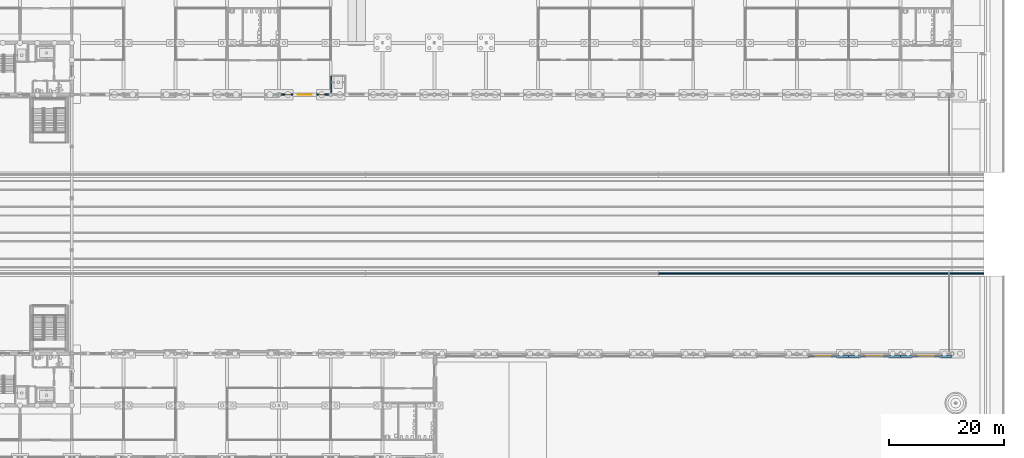
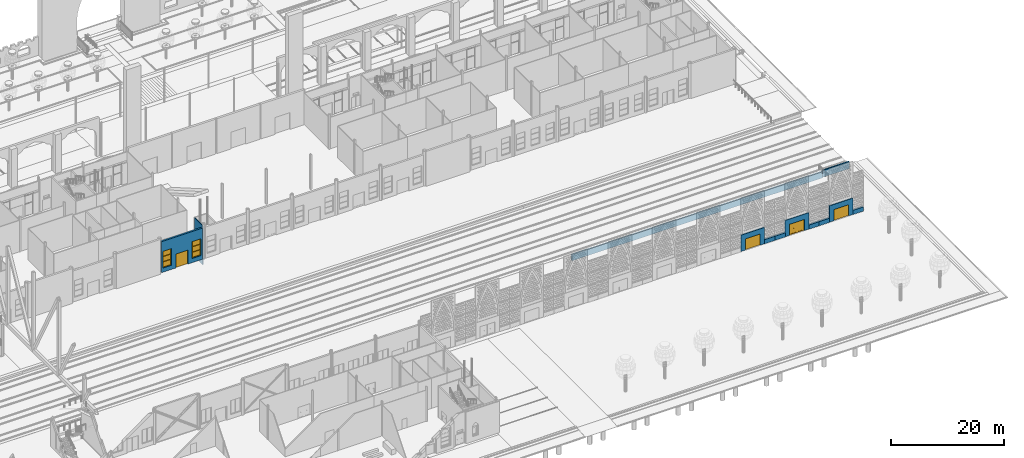
# One storey, part 122 of 250: 12 walls, 4 doors, 2 windows, 6 openings.
"""IFC4 building model written with IfcOpenShell, lengths in metres."""

from ifc_helpers import new_model, si_unit, direction, frame, frame_2d, origin, place, context, subcontext, project, spatial, polyline, rectangle, outline, extrude, material, layer, layer_set, type_object, element, fill, save


model = new_model("IFC4")

# Units and contexts
model_context = context("Model", 3, precision=1e-05, world=origin(), true_north=direction((0.0, 1.0)))
body_context = subcontext(model_context, "Body", "Model", "MODEL_VIEW")
ifc_project = project(units=[si_unit("LENGTHUNIT", "METRE"), si_unit("AREAUNIT", "SQUARE_METRE"), si_unit("VOLUMEUNIT", "CUBIC_METRE"), si_unit("PLANEANGLEUNIT", "RADIAN"), si_unit("MASSUNIT", "GRAM", prefix="KILO")], contexts=[model_context])

# Site, building, storey
site_placement = place(None, origin())
site = spatial("IfcSite", under=ifc_project, at=site_placement, CompositionType="ELEMENT")
building_placement = place(site_placement, origin())
building = spatial("IfcBuilding", under=site, at=building_placement, Name="Baradari Gate Terminus", CompositionType="ELEMENT")
storey_placement = place(building_placement, origin())
storey = spatial("IfcBuildingStorey", under=building, at=storey_placement, Name="L00", CompositionType="ELEMENT", Elevation=0.0)

# Wall, opening, door
ifc_material_1 = material(Name="Steel S355", Category="steel")
ifc_layer_1 = layer(ifc_material_1, 0.25)
ifc_layer_set_1 = layer_set([ifc_layer_1], Name="Steel S355")
wall_type_1 = type_object("IfcWallType", Name="Gate frame wall WG-2 250", PredefinedType="SOLIDWALL", material=ifc_layer_set_1)
wall_1_placement = place(storey_placement, frame((218.10009765625, 35.52001953125, 0.0), z_axis=(0.0, 0.0, 1.0), x_axis=(1.0, 0.0, 0.0)))
wall_1 = element("IfcWall", 1, at=wall_1_placement, inside=storey, type_object=wall_type_1, Name="Gate frame wall SC bay 8", PredefinedType="SOLIDWALL", context=body_context, shape_type="SweptSolid", body=[
    extrude(rectangle(XDim=4.7998046875, YDim=0.25, at=frame_2d((2.39990234375, 0.0))), origin(), (0.0, 0.0, 1.0), 3.52490234375),
])
opening_1_placement = place(wall_1_placement, frame((0.89990234375, 0.0, 0.0)))
opening_1 = element("IfcOpeningElement", 2, at=opening_1_placement, cuts=wall_1, Name="Opening D00-065", PredefinedType="OPENING", context=body_context, shape_type="SweptSolid", body=[
    extrude(rectangle(XDim=3.0, YDim=2.39990234375, at=frame_2d((1.5, 1.199951171875))), frame((0.0, 0.135009765625, 0.0), z_axis=(0.0, -1.0, 0.0), x_axis=(1.0, 0.0, 0.0)), (0.0, 0.0, 1.0), 0.27001953125),
])
ifc_material_2 = material(Name="Steel S235", Category="steel")
door_type_1 = type_object("IfcDoorType", Name="Platform exit door pair, steel DT-8 3000x2400", OperationType="DOUBLE_DOOR_DOUBLE_SWING", PredefinedType="DOOR", material=ifc_material_2)
door_1_placement = place(opening_1_placement, origin())
door_1 = element("IfcDoor", 3, at=door_1_placement, inside=storey, type_object=door_type_1, Name="Platform exit door pair, steel SC/07g", OperationType="DOUBLE_DOOR_DOUBLE_SWING", OverallHeight=2.4, OverallWidth=3.0, PredefinedType="DOOR", context=body_context, shape_type="SweptSolid", body=[
    extrude(outline(polyline([(0.0, 0.0), (0.070068359375, 0.0), (0.070068359375, 2.329833984375), (2.929931640625, 2.329833984375), (2.929931640625, 0.0), (3.0, 0.0), (3.0, 2.39990234375), (0.0, 2.39990234375), (0.0, 0.0)])), frame((0.0, 0.02490234375, 0.0), z_axis=(0.0, -1.0, 0.0), x_axis=(1.0, 0.0, 0.0)), (0.0, 0.0, 1.0), 0.050048828125),
    extrude(outline(polyline([(0.073974609375, 0.010009765625), (1.4970703125, 0.010009765625), (1.4970703125, 2.325927734375), (0.073974609375, 2.325927734375), (0.073974609375, 0.010009765625)]), holes=[polyline([(0.194091796875, 0.159912109375), (1.376953125, 0.159912109375), (1.376953125, 1.010009765625), (0.194091796875, 1.010009765625), (0.194091796875, 0.159912109375)]), polyline([(0.635498046875, 1.159912109375), (0.935546875, 1.159912109375), (0.935546875, 1.760009765625), (0.635498046875, 1.760009765625), (0.635498046875, 1.159912109375)])]), frame((0.0, 0.017333984375, 0.0), z_axis=(0.0, -1.0, 0.0), x_axis=(1.0, 0.0, 0.0)), (0.0, 0.0, 1.0), 0.034912109375),
    extrude(rectangle(XDim=1.182861328125, YDim=0.85009765625, at=frame_2d((0.78564453125, 0.5849609375))), frame((0.0, 0.008544921875, 0.0), z_axis=(0.0, -1.0, 0.0), x_axis=(1.0, 0.0, 0.0)), (0.0, 0.0, 1.0), 0.017333984375),
    extrude(rectangle(XDim=0.300048828125, YDim=0.60009765625, at=frame_2d((0.78564453125, 1.4599609375))), frame((0.0, 0.005859375, 0.0), z_axis=(0.0, -1.0, 0.0), x_axis=(1.0, 0.0, 0.0)), (0.0, 0.0, 1.0), 0.011962890625),
    extrude(outline(polyline([(1.5029296875, 0.010009765625), (2.926025390625, 0.010009765625), (2.926025390625, 2.325927734375), (1.5029296875, 2.325927734375), (1.5029296875, 0.010009765625)]), holes=[polyline([(1.623046875, 0.159912109375), (2.805908203125, 0.159912109375), (2.805908203125, 1.010009765625), (1.623046875, 1.010009765625), (1.623046875, 0.159912109375)]), polyline([(2.064453125, 1.159912109375), (2.364501953125, 1.159912109375), (2.364501953125, 1.760009765625), (2.064453125, 1.760009765625), (2.064453125, 1.159912109375)])]), frame((0.0, 0.017333984375, 0.0), z_axis=(0.0, -1.0, 0.0), x_axis=(1.0, 0.0, 0.0)), (0.0, 0.0, 1.0), 0.034912109375),
    extrude(rectangle(XDim=1.182861328125, YDim=0.85009765625, at=frame_2d((2.21435546875, 0.5849609375))), frame((0.0, 0.008544921875, 0.0), z_axis=(0.0, -1.0, 0.0), x_axis=(1.0, 0.0, 0.0)), (0.0, 0.0, 1.0), 0.017333984375),
    extrude(rectangle(XDim=0.300048828125, YDim=0.60009765625, at=frame_2d((2.21435546875, 1.4599609375))), frame((0.0, 0.005859375, 0.0), z_axis=(0.0, -1.0, 0.0), x_axis=(1.0, 0.0, 0.0)), (0.0, 0.0, 1.0), 0.011962890625),
])
fill(opening_1, door_1)

wall_2_placement = place(storey_placement, frame((227.10009765625, 35.52001953125, 0.0), z_axis=(0.0, 0.0, 1.0), x_axis=(1.0, 0.0, 0.0)))
wall_2 = element("IfcWall", 4, at=wall_2_placement, inside=storey, type_object=wall_type_1, Name="Gate frame wall SC bay 9", PredefinedType="SOLIDWALL", context=body_context, shape_type="SweptSolid", body=[
    extrude(rectangle(XDim=4.7998046875, YDim=0.25, at=frame_2d((2.39990234375, 0.0))), origin(), (0.0, 0.0, 1.0), 3.52490234375),
])
opening_2_placement = place(wall_2_placement, frame((0.89990234375, 0.0, 0.0)))
opening_2 = element("IfcOpeningElement", 5, at=opening_2_placement, cuts=wall_2, Name="Opening D00-066", PredefinedType="OPENING", context=body_context, shape_type="SweptSolid", body=[
    extrude(rectangle(XDim=3.0, YDim=2.39990234375, at=frame_2d((1.5, 1.199951171875))), frame((0.0, 0.135009765625, 0.0), z_axis=(0.0, -1.0, 0.0), x_axis=(1.0, 0.0, 0.0)), (0.0, 0.0, 1.0), 0.27001953125),
])
door_2_placement = place(opening_2_placement, origin())
door_2 = element("IfcDoor", 6, at=door_2_placement, inside=storey, type_object=door_type_1, Name="Platform exit door pair, steel SC/08g", OperationType="DOUBLE_DOOR_DOUBLE_SWING", OverallHeight=2.4, OverallWidth=3.0, PredefinedType="DOOR", context=body_context, shape_type="SweptSolid", body=[
    extrude(outline(polyline([(0.0, 0.0), (0.070068359375, 0.0), (0.070068359375, 2.329833984375), (2.929931640625, 2.329833984375), (2.929931640625, 0.0), (3.0, 0.0), (3.0, 2.39990234375), (0.0, 2.39990234375), (0.0, 0.0)])), frame((0.0, 0.02490234375, 0.0), z_axis=(0.0, -1.0, 0.0), x_axis=(1.0, 0.0, 0.0)), (0.0, 0.0, 1.0), 0.050048828125),
    extrude(outline(polyline([(0.073974609375, 0.010009765625), (1.4970703125, 0.010009765625), (1.4970703125, 2.325927734375), (0.073974609375, 2.325927734375), (0.073974609375, 0.010009765625)]), holes=[polyline([(0.194091796875, 0.159912109375), (1.376953125, 0.159912109375), (1.376953125, 1.010009765625), (0.194091796875, 1.010009765625), (0.194091796875, 0.159912109375)]), polyline([(0.635498046875, 1.159912109375), (0.935546875, 1.159912109375), (0.935546875, 1.760009765625), (0.635498046875, 1.760009765625), (0.635498046875, 1.159912109375)])]), frame((0.0, 0.017333984375, 0.0), z_axis=(0.0, -1.0, 0.0), x_axis=(1.0, 0.0, 0.0)), (0.0, 0.0, 1.0), 0.034912109375),
    extrude(rectangle(XDim=1.182861328125, YDim=0.85009765625, at=frame_2d((0.78564453125, 0.5849609375))), frame((0.0, 0.008544921875, 0.0), z_axis=(0.0, -1.0, 0.0), x_axis=(1.0, 0.0, 0.0)), (0.0, 0.0, 1.0), 0.017333984375),
    extrude(rectangle(XDim=0.300048828125, YDim=0.60009765625, at=frame_2d((0.78564453125, 1.4599609375))), frame((0.0, 0.005859375, 0.0), z_axis=(0.0, -1.0, 0.0), x_axis=(1.0, 0.0, 0.0)), (0.0, 0.0, 1.0), 0.011962890625),
    extrude(outline(polyline([(1.5029296875, 0.010009765625), (2.926025390625, 0.010009765625), (2.926025390625, 2.325927734375), (1.5029296875, 2.325927734375), (1.5029296875, 0.010009765625)]), holes=[polyline([(1.623046875, 0.159912109375), (2.805908203125, 0.159912109375), (2.805908203125, 1.010009765625), (1.623046875, 1.010009765625), (1.623046875, 0.159912109375)]), polyline([(2.064453125, 1.159912109375), (2.364501953125, 1.159912109375), (2.364501953125, 1.760009765625), (2.064453125, 1.760009765625), (2.064453125, 1.159912109375)])]), frame((0.0, 0.017333984375, 0.0), z_axis=(0.0, -1.0, 0.0), x_axis=(1.0, 0.0, 0.0)), (0.0, 0.0, 1.0), 0.034912109375),
    extrude(rectangle(XDim=1.182861328125, YDim=0.85009765625, at=frame_2d((2.21435546875, 0.5849609375))), frame((0.0, 0.008544921875, 0.0), z_axis=(0.0, -1.0, 0.0), x_axis=(1.0, 0.0, 0.0)), (0.0, 0.0, 1.0), 0.017333984375),
    extrude(rectangle(XDim=0.300048828125, YDim=0.60009765625, at=frame_2d((2.21435546875, 1.4599609375))), frame((0.0, 0.005859375, 0.0), z_axis=(0.0, -1.0, 0.0), x_axis=(1.0, 0.0, 0.0)), (0.0, 0.0, 1.0), 0.011962890625),
])
fill(opening_2, door_2)

wall_3_placement = place(storey_placement, frame((236.10009765625, 35.52001953125, 0.0), z_axis=(0.0, 0.0, 1.0), x_axis=(1.0, 0.0, 0.0)))
wall_3 = element("IfcWall", 7, at=wall_3_placement, inside=storey, type_object=wall_type_1, Name="Gate frame wall SC bay 10", PredefinedType="SOLIDWALL", context=body_context, shape_type="SweptSolid", body=[
    extrude(rectangle(XDim=4.7998046875, YDim=0.25, at=frame_2d((2.39990234375, 0.0))), origin(), (0.0, 0.0, 1.0), 3.52490234375),
])
opening_3_placement = place(wall_3_placement, frame((0.89990234375, 0.0, 0.0)))
opening_3 = element("IfcOpeningElement", 8, at=opening_3_placement, cuts=wall_3, Name="Opening D00-067", PredefinedType="OPENING", context=body_context, shape_type="SweptSolid", body=[
    extrude(rectangle(XDim=3.0, YDim=2.39990234375, at=frame_2d((1.5, 1.199951171875))), frame((0.0, 0.135009765625, 0.0), z_axis=(0.0, -1.0, 0.0), x_axis=(1.0, 0.0, 0.0)), (0.0, 0.0, 1.0), 0.27001953125),
])
door_3_placement = place(opening_3_placement, origin())
door_3 = element("IfcDoor", 9, at=door_3_placement, inside=storey, type_object=door_type_1, Name="Platform exit door pair, steel SC/09g", OperationType="DOUBLE_DOOR_DOUBLE_SWING", OverallHeight=2.4, OverallWidth=3.0, PredefinedType="DOOR", context=body_context, shape_type="SweptSolid", body=[
    extrude(outline(polyline([(0.0, 0.0), (0.070068359375, 0.0), (0.070068359375, 2.329833984375), (2.929931640625, 2.329833984375), (2.929931640625, 0.0), (3.0, 0.0), (3.0, 2.39990234375), (0.0, 2.39990234375), (0.0, 0.0)])), frame((0.0, 0.02490234375, 0.0), z_axis=(0.0, -1.0, 0.0), x_axis=(1.0, 0.0, 0.0)), (0.0, 0.0, 1.0), 0.050048828125),
    extrude(outline(polyline([(0.073974609375, 0.010009765625), (1.4970703125, 0.010009765625), (1.4970703125, 2.325927734375), (0.073974609375, 2.325927734375), (0.073974609375, 0.010009765625)]), holes=[polyline([(0.194091796875, 0.159912109375), (1.376953125, 0.159912109375), (1.376953125, 1.010009765625), (0.194091796875, 1.010009765625), (0.194091796875, 0.159912109375)]), polyline([(0.635498046875, 1.159912109375), (0.935546875, 1.159912109375), (0.935546875, 1.760009765625), (0.635498046875, 1.760009765625), (0.635498046875, 1.159912109375)])]), frame((0.0, 0.017333984375, 0.0), z_axis=(0.0, -1.0, 0.0), x_axis=(1.0, 0.0, 0.0)), (0.0, 0.0, 1.0), 0.034912109375),
    extrude(rectangle(XDim=1.182861328125, YDim=0.85009765625, at=frame_2d((0.78564453125, 0.5849609375))), frame((0.0, 0.008544921875, 0.0), z_axis=(0.0, -1.0, 0.0), x_axis=(1.0, 0.0, 0.0)), (0.0, 0.0, 1.0), 0.017333984375),
    extrude(rectangle(XDim=0.300048828125, YDim=0.60009765625, at=frame_2d((0.78564453125, 1.4599609375))), frame((0.0, 0.005859375, 0.0), z_axis=(0.0, -1.0, 0.0), x_axis=(1.0, 0.0, 0.0)), (0.0, 0.0, 1.0), 0.011962890625),
    extrude(outline(polyline([(1.5029296875, 0.010009765625), (2.926025390625, 0.010009765625), (2.926025390625, 2.325927734375), (1.5029296875, 2.325927734375), (1.5029296875, 0.010009765625)]), holes=[polyline([(1.623046875, 0.159912109375), (2.805908203125, 0.159912109375), (2.805908203125, 1.010009765625), (1.623046875, 1.010009765625), (1.623046875, 0.159912109375)]), polyline([(2.064453125, 1.159912109375), (2.364501953125, 1.159912109375), (2.364501953125, 1.760009765625), (2.064453125, 1.760009765625), (2.064453125, 1.159912109375)])]), frame((0.0, 0.017333984375, 0.0), z_axis=(0.0, -1.0, 0.0), x_axis=(1.0, 0.0, 0.0)), (0.0, 0.0, 1.0), 0.034912109375),
    extrude(rectangle(XDim=1.182861328125, YDim=0.85009765625, at=frame_2d((2.21435546875, 0.5849609375))), frame((0.0, 0.008544921875, 0.0), z_axis=(0.0, -1.0, 0.0), x_axis=(1.0, 0.0, 0.0)), (0.0, 0.0, 1.0), 0.017333984375),
    extrude(rectangle(XDim=0.300048828125, YDim=0.60009765625, at=frame_2d((2.21435546875, 1.4599609375))), frame((0.0, 0.005859375, 0.0), z_axis=(0.0, -1.0, 0.0), x_axis=(1.0, 0.0, 0.0)), (0.0, 0.0, 1.0), 0.011962890625),
])
fill(opening_3, door_3)

# Walls
ifc_material_3 = material(Name="Concrete C40/50 precast", Category="concrete")
ifc_layer_2 = layer(ifc_material_3, 0.3)
ifc_material_4 = material(Name="Reconstituted stone", Category="masonry")
ifc_layer_3 = layer(ifc_material_4, 0.05)
ifc_layer_set_2 = layer_set([ifc_layer_2, ifc_layer_3], Name="Concrete C40/50 precast")
wall_type_2 = type_object("IfcWallType", Name="Jali screen base wall WJ-1 350", PredefinedType="SOLIDWALL", material=ifc_layer_set_2)
for number, where, z_axis, x_axis, name in (
    (10, (222.89990234375, 35.52001953125, 0.0), (0.0, 0.0, 1.0), (1.0, 0.0, 0.0), "Jali screen base wall SC bay 8"),
    (11, (225.0, 35.52001953125, 0.0), (0.0, 0.0, 1.0), (1.0, 0.0, 0.0), "Jali screen base wall SC bay 9"),
    (12, (231.89990234375, 35.52001953125, 0.0), (0.0, 0.0, 1.0), (1.0, 0.0, 0.0), "Jali screen base wall SC bay 9"),
    (13, (234.0, 35.52001953125, 0.0), (0.0, 0.0, 1.0), (1.0, 0.0, 0.0), "Jali screen base wall SC bay 10"),
    (14, (240.89990234375, 35.52001953125, 0.0), (0.0, 0.0, 1.0), (1.0, 0.0, 0.0), "Jali screen base wall SC bay 10"),
):
    element("IfcWall", number, at=place(storey_placement, frame(where, z_axis=z_axis, x_axis=x_axis)), inside=storey, type_object=wall_type_2, Name=name, PredefinedType="SOLIDWALL", context=body_context, shape_type="SweptSolid", body=[
        extrude(rectangle(XDim=2.10009765625, YDim=0.35009765625, at=frame_2d((1.050048828125, 0.0))), origin(), (0.0, 0.0, 1.0), 0.89990234375),
    ])
ifc_material_5 = material(Name="Blockwork wall, fire rated", Category="masonry")
ifc_layer_4 = layer(ifc_material_5, 0.199951171875)
ifc_layer_set_3 = layer_set([ifc_layer_4], Name="Blockwork wall, fire rated")
wall_type_3 = type_object("IfcWallType", Name="Lift shaft wall SH-1 200 EI 120", PredefinedType="SOLIDWALL", material=ifc_layer_set_3)
wall_4_placement = place(storey_placement, frame((135.10009765625, 81.300048828125, -1.60009765625), z_axis=(0.0, 0.0, 1.0), x_axis=(0.0, 1.0, 0.0)))
element("IfcWall", 15, at=wall_4_placement, inside=storey, type_object=wall_type_3, Name="Lift shaft wall LHL L00 W", PredefinedType="SOLIDWALL", context=body_context, shape_type="SweptSolid", body=[
    extrude(rectangle(XDim=2.89990234375, YDim=0.199951171875, at=frame_2d((1.449951171875, 0.0))), origin(), (0.0, 0.0, 1.0), 8.357177734375),
])
ifc_material_6 = material(Name="Concrete C40/50", Category="concrete")
ifc_layer_5 = layer(ifc_material_6, 0.300048828125)
ifc_layer_set_4 = layer_set([ifc_layer_5], Name="Concrete C40/50")
wall_type_4 = type_object("IfcWallType", Name="Platform edge wall CWL06 300", PredefinedType="SOLIDWALL", material=ifc_layer_set_4)
wall_5_placement = place(storey_placement, frame((192.0, 49.89990234375, -1.572021484375), z_axis=(0.0, 0.0, 1.0), x_axis=(1.0, 0.0, 0.0)))
element("IfcWall", 16, at=wall_5_placement, inside=storey, type_object=wall_type_4, Name="Platform 1 edge wall 4", PredefinedType="SOLIDWALL", context=body_context, shape_type="SweptSolid", body=[
    extrude(rectangle(XDim=51.0, YDim=0.300048828125, at=frame_2d((25.5, 0.0))), origin(), (0.0, 0.0, 1.0), 1.322021484375),
])

# Wall, openings, door, windows
ifc_material_7 = material(Name="Sandstone masonry", Category="masonry")
ifc_layer_6 = layer(ifc_material_7, 0.35009765625)
ifc_layer_set_5 = layer_set([ifc_layer_6], Name="Sandstone masonry")
wall_type_5 = type_object("IfcWallType", Name="Sandstone masonry wall WS-1 350", PredefinedType="SOLIDWALL", material=ifc_layer_set_5)
wall_6_placement = place(storey_placement, frame((126.35546875, 81.0, 0.0), z_axis=(0.0, 0.0, 1.0), x_axis=(1.0, 0.0, 0.0)))
wall_6 = element("IfcWall", 17, at=wall_6_placement, inside=storey, type_object=wall_type_5, Name="platform side HS bay 15 L00", PredefinedType="SOLIDWALL", context=body_context, shape_type="SweptSolid", body=[
    extrude(rectangle(XDim=8.339599609375, YDim=0.35009765625, at=frame_2d((4.169921875, 0.0))), origin(), (0.0, 0.0, 1.0), 6.692138671875),
])
opening_4_placement = place(wall_6_placement, frame((2.944580078125, 0.0, 0.0)))
opening_4 = element("IfcOpeningElement", 18, at=opening_4_placement, cuts=wall_6, Name="Opening D00-035", PredefinedType="OPENING", context=body_context, shape_type="SweptSolid", body=[
    extrude(rectangle(XDim=2.39990234375, YDim=3.0, at=frame_2d((1.199951171875, 1.5))), frame((0.0, 0.18505859375, 0.0), z_axis=(0.0, -1.0, 0.0), x_axis=(1.0, 0.0, 0.0)), (0.0, 0.0, 1.0), 0.3701171875),
])
opening_5_placement = place(wall_6_placement, frame((0.244384765625, 0.0, 0.89990234375)))
opening_5 = element("IfcOpeningElement", 19, at=opening_5_placement, cuts=wall_6, Name="Opening W3", PredefinedType="OPENING", context=body_context, shape_type="SweptSolid", body=[
    extrude(rectangle(XDim=1.800048828125, YDim=3.60009765625, at=frame_2d((0.89990234375, 1.800048828125))), frame((0.0, 0.18505859375, 0.0), z_axis=(0.0, -1.0, 0.0), x_axis=(1.0, 0.0, 0.0)), (0.0, 0.0, 1.0), 0.3701171875),
])
opening_6_placement = place(wall_6_placement, frame((6.244384765625, 0.0, 0.89990234375)))
opening_6 = element("IfcOpeningElement", 20, at=opening_6_placement, cuts=wall_6, Name="Opening W3", PredefinedType="OPENING", context=body_context, shape_type="SweptSolid", body=[
    extrude(rectangle(XDim=1.800048828125, YDim=3.60009765625, at=frame_2d((0.89990234375, 1.800048828125))), frame((0.0, 0.18505859375, 0.0), z_axis=(0.0, -1.0, 0.0), x_axis=(1.0, 0.0, 0.0)), (0.0, 0.0, 1.0), 0.3701171875),
])
ifc_material_8 = material(Name="Aluminium 6063-T6", Category="aluminium")
door_type_2 = type_object("IfcDoorType", Name="Platform door pair, glazed DT-7 2400x3000", OperationType="DOUBLE_DOOR_SINGLE_SWING", PredefinedType="DOOR", material=ifc_material_8)
door_4_placement = place(opening_4_placement, frame((2.39990234375, 0.0, 0.0), z_axis=(0.0, 0.0, 1.0), x_axis=(-1.0, 0.0, 0.0)))
door_4 = element("IfcDoor", 21, at=door_4_placement, inside=storey, type_object=door_type_2, Name="Exit door Corridor (Platform Passage West)", OperationType="DOUBLE_DOOR_SINGLE_SWING", OverallHeight=3.0, OverallWidth=2.4, PredefinedType="DOOR", context=body_context, shape_type="SweptSolid", body=[
    extrude(outline(polyline([(0.0, 0.0), (0.070068359375, 0.0), (0.070068359375, 2.929931640625), (2.329833984375, 2.929931640625), (2.329833984375, 0.0), (2.39990234375, 0.0), (2.39990234375, 3.0), (0.0, 3.0), (0.0, 0.0)])), frame((0.0, 0.02490234375, 0.0), z_axis=(0.0, -1.0, 0.0), x_axis=(1.0, 0.0, 0.0)), (0.0, 0.0, 1.0), 0.050048828125),
    extrude(outline(polyline([(0.073974609375, 0.010009765625), (1.19677734375, 0.010009765625), (1.19677734375, 2.926025390625), (0.073974609375, 2.926025390625), (0.073974609375, 0.010009765625)]), holes=[polyline([(0.1640625, 0.31005859375), (1.10693359375, 0.31005859375), (1.10693359375, 2.8359375), (0.1640625, 2.8359375), (0.1640625, 0.31005859375)])]), frame((0.0, 0.017333984375, 0.0), z_axis=(0.0, -1.0, 0.0), x_axis=(1.0, 0.0, 0.0)), (0.0, 0.0, 1.0), 0.034912109375),
    extrude(rectangle(XDim=0.94287109375, YDim=2.52587890625, at=frame_2d((0.635498046875, 1.572998046875))), frame((0.0, 0.005859375, 0.0), z_axis=(0.0, -1.0, 0.0), x_axis=(1.0, 0.0, 0.0)), (0.0, 0.0, 1.0), 0.011962890625),
    extrude(outline(polyline([(1.203125, 0.010009765625), (2.325927734375, 0.010009765625), (2.325927734375, 2.926025390625), (1.203125, 2.926025390625), (1.203125, 0.010009765625)]), holes=[polyline([(1.29296875, 0.31005859375), (2.23583984375, 0.31005859375), (2.23583984375, 2.8359375), (1.29296875, 2.8359375), (1.29296875, 0.31005859375)])]), frame((0.0, 0.017333984375, 0.0), z_axis=(0.0, -1.0, 0.0), x_axis=(1.0, 0.0, 0.0)), (0.0, 0.0, 1.0), 0.034912109375),
    extrude(rectangle(XDim=0.94287109375, YDim=2.52587890625, at=frame_2d((1.764404296875, 1.572998046875))), frame((0.0, 0.005859375, 0.0), z_axis=(0.0, -1.0, 0.0), x_axis=(1.0, 0.0, 0.0)), (0.0, 0.0, 1.0), 0.011962890625),
])
fill(opening_4, door_4)
ifc_material_9 = material(Name="Aluminium 6063-T6", Category="aluminium")
window_type = type_object("IfcWindowType", Name="Tall window, 3-light W3 1800x3600", PartitioningType="TRIPLE_PANEL_HORIZONTAL", PredefinedType="WINDOW", material=ifc_material_9)
window_1_placement = place(opening_5_placement, origin())
window_1 = element("IfcWindow", 22, at=window_1_placement, inside=storey, type_object=window_type, Name="Window W3 HS/14", OverallHeight=3.6, OverallWidth=1.8, PartitioningType="TRIPLE_PANEL_HORIZONTAL", PredefinedType="WINDOW", context=body_context, shape_type="SweptSolid", body=[
    extrude(outline(polyline([(0.0, 0.0), (1.800048828125, 0.0), (1.800048828125, 3.60009765625), (0.0, 3.60009765625), (0.0, 0.0)]), holes=[polyline([(0.070068359375, 0.070068359375), (1.72998046875, 0.070068359375), (1.72998046875, 3.530029296875), (0.070068359375, 3.530029296875), (0.070068359375, 0.070068359375)])]), frame((0.0, 0.030029296875, 0.0), z_axis=(0.0, -1.0, 0.0), x_axis=(1.0, 0.0, 0.0)), (0.0, 0.0, 1.0), 0.06005859375),
    extrude(rectangle(XDim=1.659912109375, YDim=0.0400390625, at=frame_2d((0.89990234375, 1.216796875))), frame((0.0, 0.021484375, 0.0), z_axis=(0.0, -1.0, 0.0), x_axis=(1.0, 0.0, 0.0)), (0.0, 0.0, 1.0), 0.04296875),
    extrude(rectangle(XDim=1.659912109375, YDim=0.0400390625, at=frame_2d((0.89990234375, 2.38330078125))), frame((0.0, 0.021484375, 0.0), z_axis=(0.0, -1.0, 0.0), x_axis=(1.0, 0.0, 0.0)), (0.0, 0.0, 1.0), 0.04296875),
    extrude(outline(polyline([(0.070068359375, 0.070068359375), (1.72998046875, 0.070068359375), (1.72998046875, 1.19677734375), (0.070068359375, 1.19677734375), (0.070068359375, 0.070068359375)]), holes=[polyline([(0.10009765625, 0.10009765625), (1.699951171875, 0.10009765625), (1.699951171875, 1.166748046875), (0.10009765625, 1.166748046875), (0.10009765625, 0.10009765625)])]), frame((0.0, 0.0224609375, 0.0), z_axis=(0.0, -1.0, 0.0), x_axis=(1.0, 0.0, 0.0)), (0.0, 0.0, 1.0), 0.044921875),
    extrude(rectangle(XDim=1.599853515625, YDim=1.066650390625, at=frame_2d((0.89990234375, 0.63330078125))), frame((0.0, 0.006103515625, 0.0), z_axis=(0.0, -1.0, 0.0), x_axis=(1.0, 0.0, 0.0)), (0.0, 0.0, 1.0), 0.01220703125),
    extrude(outline(polyline([(0.070068359375, 1.23681640625), (1.72998046875, 1.23681640625), (1.72998046875, 2.36328125), (0.070068359375, 2.36328125), (0.070068359375, 1.23681640625)]), holes=[polyline([(0.10009765625, 1.266845703125), (1.699951171875, 1.266845703125), (1.699951171875, 2.333251953125), (0.10009765625, 2.333251953125), (0.10009765625, 1.266845703125)])]), frame((0.0, 0.0224609375, 0.0), z_axis=(0.0, -1.0, 0.0), x_axis=(1.0, 0.0, 0.0)), (0.0, 0.0, 1.0), 0.044921875),
    extrude(rectangle(XDim=1.599853515625, YDim=1.06640625, at=frame_2d((0.89990234375, 1.800048828125))), frame((0.0, 0.006103515625, 0.0), z_axis=(0.0, -1.0, 0.0), x_axis=(1.0, 0.0, 0.0)), (0.0, 0.0, 1.0), 0.01220703125),
    extrude(outline(polyline([(0.070068359375, 2.4033203125), (1.72998046875, 2.4033203125), (1.72998046875, 3.530029296875), (0.070068359375, 3.530029296875), (0.070068359375, 2.4033203125)]), holes=[polyline([(0.10009765625, 2.433349609375), (1.699951171875, 2.433349609375), (1.699951171875, 3.5), (0.10009765625, 3.5), (0.10009765625, 2.433349609375)])]), frame((0.0, 0.0224609375, 0.0), z_axis=(0.0, -1.0, 0.0), x_axis=(1.0, 0.0, 0.0)), (0.0, 0.0, 1.0), 0.044921875),
    extrude(rectangle(XDim=1.599853515625, YDim=1.066650390625, at=frame_2d((0.89990234375, 2.966796875))), frame((0.0, 0.006103515625, 0.0), z_axis=(0.0, -1.0, 0.0), x_axis=(1.0, 0.0, 0.0)), (0.0, 0.0, 1.0), 0.01220703125),
])
fill(opening_5, window_1)
window_2_placement = place(opening_6_placement, origin())
window_2 = element("IfcWindow", 23, at=window_2_placement, inside=storey, type_object=window_type, Name="Window W3 HS/14", OverallHeight=3.6, OverallWidth=1.8, PartitioningType="TRIPLE_PANEL_HORIZONTAL", PredefinedType="WINDOW", context=body_context, shape_type="SweptSolid", body=[
    extrude(outline(polyline([(0.0, 0.0), (1.800048828125, 0.0), (1.800048828125, 3.60009765625), (0.0, 3.60009765625), (0.0, 0.0)]), holes=[polyline([(0.070068359375, 0.070068359375), (1.72998046875, 0.070068359375), (1.72998046875, 3.530029296875), (0.070068359375, 3.530029296875), (0.070068359375, 0.070068359375)])]), frame((0.0, 0.030029296875, 0.0), z_axis=(0.0, -1.0, 0.0), x_axis=(1.0, 0.0, 0.0)), (0.0, 0.0, 1.0), 0.06005859375),
    extrude(rectangle(XDim=1.659912109375, YDim=0.0400390625, at=frame_2d((0.89990234375, 1.216796875))), frame((0.0, 0.021484375, 0.0), z_axis=(0.0, -1.0, 0.0), x_axis=(1.0, 0.0, 0.0)), (0.0, 0.0, 1.0), 0.04296875),
    extrude(rectangle(XDim=1.659912109375, YDim=0.0400390625, at=frame_2d((0.89990234375, 2.38330078125))), frame((0.0, 0.021484375, 0.0), z_axis=(0.0, -1.0, 0.0), x_axis=(1.0, 0.0, 0.0)), (0.0, 0.0, 1.0), 0.04296875),
    extrude(outline(polyline([(0.070068359375, 0.070068359375), (1.72998046875, 0.070068359375), (1.72998046875, 1.19677734375), (0.070068359375, 1.19677734375), (0.070068359375, 0.070068359375)]), holes=[polyline([(0.10009765625, 0.10009765625), (1.699951171875, 0.10009765625), (1.699951171875, 1.166748046875), (0.10009765625, 1.166748046875), (0.10009765625, 0.10009765625)])]), frame((0.0, 0.0224609375, 0.0), z_axis=(0.0, -1.0, 0.0), x_axis=(1.0, 0.0, 0.0)), (0.0, 0.0, 1.0), 0.044921875),
    extrude(rectangle(XDim=1.599853515625, YDim=1.066650390625, at=frame_2d((0.89990234375, 0.63330078125))), frame((0.0, 0.006103515625, 0.0), z_axis=(0.0, -1.0, 0.0), x_axis=(1.0, 0.0, 0.0)), (0.0, 0.0, 1.0), 0.01220703125),
    extrude(outline(polyline([(0.070068359375, 1.23681640625), (1.72998046875, 1.23681640625), (1.72998046875, 2.36328125), (0.070068359375, 2.36328125), (0.070068359375, 1.23681640625)]), holes=[polyline([(0.10009765625, 1.266845703125), (1.699951171875, 1.266845703125), (1.699951171875, 2.333251953125), (0.10009765625, 2.333251953125), (0.10009765625, 1.266845703125)])]), frame((0.0, 0.0224609375, 0.0), z_axis=(0.0, -1.0, 0.0), x_axis=(1.0, 0.0, 0.0)), (0.0, 0.0, 1.0), 0.044921875),
    extrude(rectangle(XDim=1.599853515625, YDim=1.06640625, at=frame_2d((0.89990234375, 1.800048828125))), frame((0.0, 0.006103515625, 0.0), z_axis=(0.0, -1.0, 0.0), x_axis=(1.0, 0.0, 0.0)), (0.0, 0.0, 1.0), 0.01220703125),
    extrude(outline(polyline([(0.070068359375, 2.4033203125), (1.72998046875, 2.4033203125), (1.72998046875, 3.530029296875), (0.070068359375, 3.530029296875), (0.070068359375, 2.4033203125)]), holes=[polyline([(0.10009765625, 2.433349609375), (1.699951171875, 2.433349609375), (1.699951171875, 3.5), (0.10009765625, 3.5), (0.10009765625, 2.433349609375)])]), frame((0.0, 0.0224609375, 0.0), z_axis=(0.0, -1.0, 0.0), x_axis=(1.0, 0.0, 0.0)), (0.0, 0.0, 1.0), 0.044921875),
    extrude(rectangle(XDim=1.599853515625, YDim=1.066650390625, at=frame_2d((0.89990234375, 2.966796875))), frame((0.0, 0.006103515625, 0.0), z_axis=(0.0, -1.0, 0.0), x_axis=(1.0, 0.0, 0.0)), (0.0, 0.0, 1.0), 0.01220703125),
])
fill(opening_6, window_2)

# Wall
ifc_material_10 = material(Name="Concrete C40/50", Category="concrete")
ifc_layer_7 = layer(ifc_material_10, 0.300048828125)
ifc_layer_set_6 = layer_set([ifc_layer_7], Name="Concrete C40/50")
wall_type_6 = type_object("IfcWallType", Name="Track wing wall WW1 300", PredefinedType="SOLIDWALL", material=ifc_layer_set_6)
wall_7_placement = place(storey_placement, frame((243.0, 49.89990234375, -1.471923828125), z_axis=(0.0, 0.0, 1.0), x_axis=(1.0, 0.0, 0.0)))
element("IfcWall", 24, at=wall_7_placement, inside=storey, type_object=wall_type_6, Name="Track wing wall ES", PredefinedType="SOLIDWALL", context=body_context, shape_type="SweptSolid", body=[
    extrude(rectangle(XDim=5.5, YDim=0.300048828125, at=frame_2d((2.75, 0.0))), origin(), (0.0, 0.0, 1.0), 1.471923828125),
])

save(model, "model.ifc")
